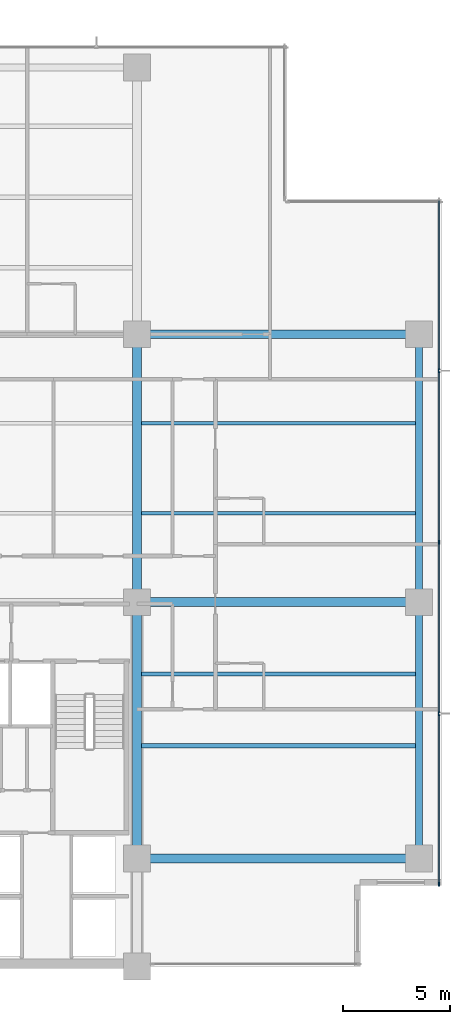
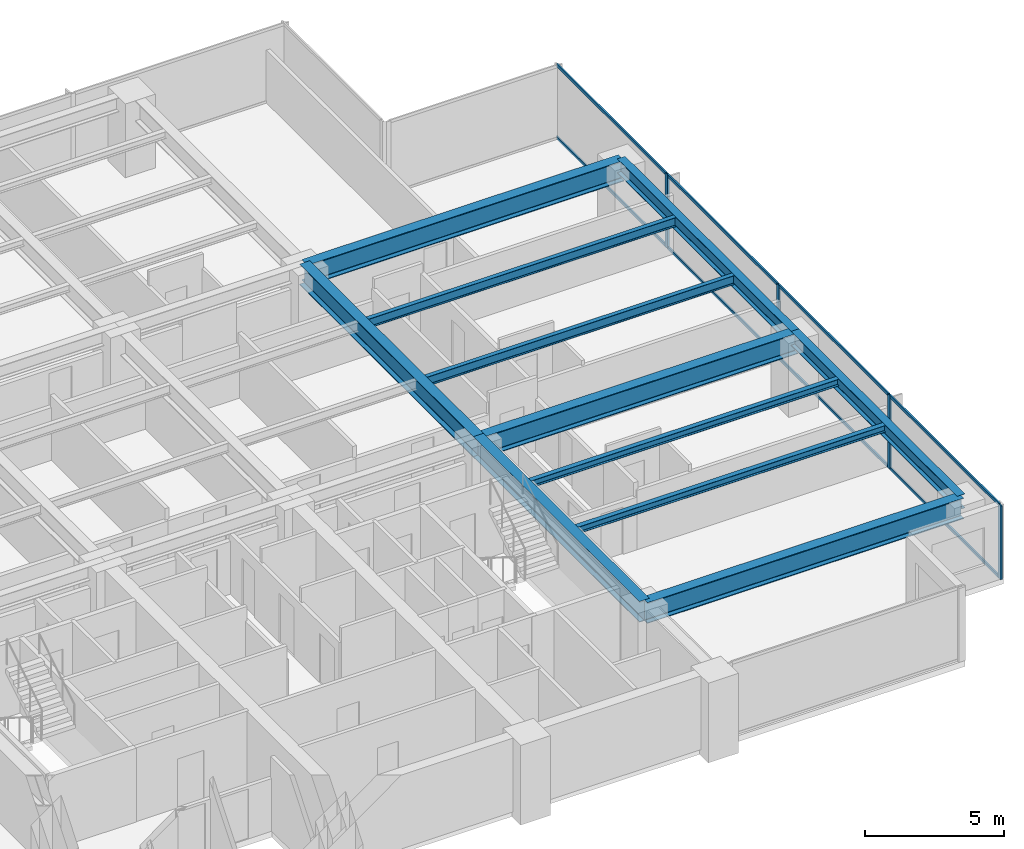
# One storey, part 4 of 17: 12 members, 11 beams, 1 element without a shape of its own.
"""IFC4 building model written with IfcOpenShell, lengths in metres."""

import ifcopenshell
import ifcopenshell.guid

model = None  # the IFC model being written
_history = None  # IfcOwnerHistory: only IFC2X3 demands one
_inside = {}  # id of a spatial element -> (the spatial element, [elements in it])
_under = {}  # id of a project, library or spatial element -> (it, [spatial elements below it])
_declared = {}  # id of a project -> (the project, [libraries it declares])
_typed = {}  # id of a type object -> (the type object, [elements of that type])
_made_of = {}  # id of a material, layer set ... -> (it, [elements and type objects made of it])


def new_model(schema):
    """Start an empty IFC model of exactly this schema.

    Asked for "IFC4X3", IfcOpenShell would pick the latest addendum, in which some entities
    have other attributes; the version numbers below select the first issue.
    IFC2X3 requires an IfcOwnerHistory on every rooted entity: one is made here for all.
    """
    global model, _history
    if schema == "IFC4X3":
        model = ifcopenshell.file(schema_version=(4, 3, 0, 0))
    else:
        model = ifcopenshell.file(schema=schema)
    _inside.clear()
    _under.clear()
    _declared.clear()
    _typed.clear()
    _made_of.clear()
    _history = None
    if model.schema == "IFC2X3":
        org = make("IfcOrganization", Name="unknown")
        user = make(
            "IfcPersonAndOrganization",
            ThePerson=make("IfcPerson", FamilyName="unknown"),
            TheOrganization=org,
        )
        app = make(
            "IfcApplication",
            ApplicationDeveloper=org,
            Version="unknown",
            ApplicationFullName="unknown",
            ApplicationIdentifier="unknown",
        )
        _history = make(
            "IfcOwnerHistory",
            OwningUser=user,
            OwningApplication=app,
            ChangeAction="ADDED",
            CreationDate=0,
        )
    return model


def make(cls, **values):
    """One entity of the class cls with the attributes given. An attribute that is None is left unset."""
    return model.create_entity(
        cls, **{name: value for name, value in values.items() if value is not None}
    )


def rooted(cls, **values):
    """An entity with a GlobalId (a new one), such as an element, a storey or a relation."""
    return make(cls, GlobalId=ifcopenshell.guid.new(), OwnerHistory=_history, **values)


def si_unit(unit_type, name, prefix=None):
    """IfcSIUnit, for example si_unit("LENGTHUNIT", "METRE", prefix="MILLI")."""
    return make("IfcSIUnit", UnitType=unit_type, Prefix=prefix, Name=name)


def assignment(units):
    """IfcUnitAssignment: the units of a project."""
    return None if units is None else make("IfcUnitAssignment", Units=units)


def point(xyz):
    """IfcCartesianPoint."""
    return None if xyz is None else make("IfcCartesianPoint", Coordinates=xyz)


def direction(xyz):
    """IfcDirection."""
    return None if xyz is None else make("IfcDirection", DirectionRatios=xyz)


def frame(location, z_axis=None, x_axis=None):
    """IfcAxis2Placement3D, a coordinate frame: its origin and axes. An axis left out is left unset."""
    return make(
        "IfcAxis2Placement3D",
        Location=point(location),
        Axis=direction(z_axis),
        RefDirection=direction(x_axis),
    )


def frame_2d(location, x_axis=None):
    """IfcAxis2Placement2D, a coordinate frame in the plane: its origin and x axis."""
    return make(
        "IfcAxis2Placement2D", Location=point(location), RefDirection=direction(x_axis)
    )


def origin():
    """The frame at (0, 0, 0) with its axes left unset."""
    return frame((0.0, 0.0, 0.0))


def origin_2d():
    """The frame at (0, 0) in the plane with its x axis left unset."""
    return frame_2d((0.0, 0.0))


def place(relative_to, where):
    """IfcLocalPlacement: puts the frame where relative to a parent placement (None: the world)."""
    return make(
        "IfcLocalPlacement", PlacementRelTo=relative_to, RelativePlacement=where
    )


def context(
    kind, dimensions, precision=None, world=None, true_north=None, identifier=None
):
    """IfcGeometricRepresentationContext, for example the 3D "Model" context."""
    return make(
        "IfcGeometricRepresentationContext",
        ContextIdentifier=identifier,
        ContextType=kind,
        CoordinateSpaceDimension=dimensions,
        Precision=precision,
        WorldCoordinateSystem=world,
        TrueNorth=true_north,
    )


def subcontext(parent, identifier, kind, view, scale=None):
    """IfcGeometricRepresentationSubContext, for example "Body" below "Model"."""
    return make(
        "IfcGeometricRepresentationSubContext",
        ContextIdentifier=identifier,
        ContextType=kind,
        ParentContext=parent,
        TargetScale=scale,
        TargetView=view,
    )


def project(units=None, contexts=None):
    """IfcProject with its units and contexts."""
    return rooted(
        "IfcProject",
        Name="project",
        RepresentationContexts=contexts,
        UnitsInContext=assignment(units),
    )


def spatial(cls, under=None, at=None, **own):
    """A site, building, storey or space (cls), placed at a placement, below another one or the project."""
    s = rooted(cls, ObjectPlacement=at, **own)
    if under is not None:
        _under.setdefault(under.id(), (under, []))[1].append(s)
    return s


def profile(cls, at=None, kind="AREA", **sizes):
    """A parametric profile (cls). Its sizes go by their IFC names, for example OverallWidth=200.0."""
    return make(cls, ProfileType=kind, Position=at, **sizes)


def rectangle(**sizes):
    """IfcRectangleProfileDef."""
    return profile("IfcRectangleProfileDef", **sizes)


def i_section(**sizes):
    """IfcIShapeProfileDef."""
    return profile("IfcIShapeProfileDef", **sizes)


def extrude(swept, where, along, depth):
    """IfcExtrudedAreaSolid: the profile swept, set in the frame where, extruded along a direction by depth."""
    return make(
        "IfcExtrudedAreaSolid",
        SweptArea=swept,
        Position=where,
        ExtrudedDirection=direction(along),
        Depth=depth,
    )


def shape(context_of_items, identifier, shape_type, items):
    """IfcShapeRepresentation: the items that make up one representation, for example the "Body"."""
    return make(
        "IfcShapeRepresentation",
        ContextOfItems=context_of_items,
        RepresentationIdentifier=identifier,
        RepresentationType=shape_type,
        Items=items,
    )


def material(Name=None, Category=None):
    """IfcMaterial."""
    return make("IfcMaterial", Name=Name, Category=Category)


def layer(
    of_material, thickness, ventilated=None, Name=None, Category=None, Priority=None
):
    """IfcMaterialLayer: one layer of a wall or slab, of a material (None: an air gap)."""
    return make(
        "IfcMaterialLayer",
        Material=of_material,
        LayerThickness=thickness,
        IsVentilated=ventilated,
        Name=Name,
        Category=Category,
        Priority=Priority,
    )


def layer_set(layers, Name=None):
    """IfcMaterialLayerSet."""
    return make("IfcMaterialLayerSet", MaterialLayers=layers, LayerSetName=Name)


def material_profile(
    of_material, cross_section, Name=None, Category=None, Priority=None
):
    """IfcMaterialProfile: a cross section and its material."""
    return make(
        "IfcMaterialProfile",
        Name=Name,
        Material=of_material,
        Profile=cross_section,
        Priority=Priority,
        Category=Category,
    )


def profile_set(profiles, Name=None, composite=None):
    """IfcMaterialProfileSet."""
    return make(
        "IfcMaterialProfileSet",
        Name=Name,
        MaterialProfiles=profiles,
        CompositeProfile=composite,
    )


def made_of(thing, what):
    """Note that an element or type object is made of a material, layer set ...; save() writes the relation."""
    if what is not None:
        _made_of.setdefault(what.id(), (what, []))[1].append(thing)
    return thing


def type_object(cls, material=None, **own):
    """A type object (cls), such as IfcWallType, which elements share."""
    return made_of(rooted(cls, **own), material)


def element(
    cls,
    number,
    at=None,
    inside=None,
    cuts=None,
    type_object=None,
    material=None,
    context=None,
    identifier="Body",
    shape_type=None,
    held_by="IfcProductDefinitionShape",
    body=None,
    shapes=None,
    **own,
):
    """One element of the class cls, such as IfcWall. Its Tag is "e" and its number.

    at: its placement. inside: the storey or other place that contains it. cuts: it is an
    opening in that element (IfcRelVoidsElement). A single representation is given by context,
    identifier, shape_type and body (its items); several are given by shapes. held_by: the class
    of the entity that holds the representations. save() writes the other relations.
    """
    e = rooted(cls, Tag="e%d" % number, ObjectPlacement=at, **own)
    if body is not None:
        shapes = [shape(context, identifier, shape_type, body)]
    if shapes is not None:
        e.Representation = make(held_by, Representations=shapes)
    if inside is not None:
        _inside.setdefault(inside.id(), (inside, []))[1].append(e)
    if cuts is not None:
        rooted(
            "IfcRelVoidsElement", RelatingBuildingElement=cuts, RelatedOpeningElement=e
        )
    if type_object is not None:
        _typed.setdefault(type_object.id(), (type_object, []))[1].append(e)
    return made_of(e, material)


def aggregate(whole, parts):
    """IfcRelAggregates: a whole, such as a stair, and the parts it consists of."""
    return rooted("IfcRelAggregates", RelatingObject=whole, RelatedObjects=parts)


def save(model, path):
    """Write the relations noted so far, then the file.

    IfcRelAggregates (storeys below a building ...), IfcRelContainedInSpatialStructure (elements
    in a storey), IfcRelDefinesByType, IfcRelAssociatesMaterial and IfcRelDeclares: one each for
    every whole, place, type object, material and project.
    """
    for whole, parts in _under.values():
        aggregate(whole, parts)
    for where, things in _inside.values():
        rooted(
            "IfcRelContainedInSpatialStructure",
            RelatedElements=things,
            RelatingStructure=where,
        )
    for kind, things in _typed.values():
        rooted("IfcRelDefinesByType", RelatedObjects=things, RelatingType=kind)
    for what, things in _made_of.values():
        rooted("IfcRelAssociatesMaterial", RelatedObjects=things, RelatingMaterial=what)
    for by, libraries in _declared.values():
        rooted("IfcRelDeclares", RelatingContext=by, RelatedDefinitions=libraries)
    model.write(path)


model = new_model("IFC4")

# Units and contexts
model_context = context("Model", 3, precision=1e-05, world=origin(), true_north=direction((0.0, 1.0)))
body_context = subcontext(model_context, "Body", "Model", "MODEL_VIEW")
ifc_project = project(units=[si_unit("LENGTHUNIT", "METRE"), si_unit("AREAUNIT", "SQUARE_METRE"), si_unit("VOLUMEUNIT", "CUBIC_METRE"), si_unit("PLANEANGLEUNIT", "RADIAN"), si_unit("MASSUNIT", "GRAM", prefix="KILO")], contexts=[model_context])

# Site, building, storey
site_placement = place(None, origin())
site = spatial("IfcSite", under=ifc_project, at=site_placement, CompositionType="ELEMENT")
building_placement = place(site_placement, origin())
building = spatial("IfcBuilding", under=site, at=building_placement, Name="Qalmaran Belvedere Hotel", CompositionType="ELEMENT")
storey_placement = place(building_placement, frame((0.0, 0.0, 119.699951171875)))
storey = spatial("IfcBuildingStorey", under=building, at=storey_placement, Name="L30", CompositionType="ELEMENT", Elevation=119.699951171875)

# Beams
ifc_material_1 = material(Name="Steel S355JR", Category="steel")
ifc_material_profile_1 = material_profile(ifc_material_1, i_section(OverallWidth=0.202880859375, OverallDepth=0.302978515625, WebThickness=0.007568359375, FlangeThickness=0.01318359375, FilletRadius=0.012939453125, at=origin_2d()), Name="W310X60")
ifc_profile_set_1 = profile_set([ifc_material_profile_1], Name="Steel S355JR")
beam_type_1 = type_object("IfcBeamType", Name="BM-JST-W310X60", PredefinedType="JOIST", material=ifc_profile_set_1)
for number, where, z_axis, x_axis, name in (
    (1, (45.007080078125, 13.800048828125, 3.088623046875), (1.0, 0.0, 0.0), (0.0, 1.0, 0.0), "L30 East Wing Joist 039"),
    (2, (45.007080078125, 17.14990234375, 3.088623046875), (1.0, 0.0, 0.0), (0.0, 1.0, 0.0), "L30 East Wing Joist 041"),
):
    element("IfcBeam", number, at=place(storey_placement, frame(where, z_axis=z_axis, x_axis=x_axis)), inside=storey, type_object=beam_type_1, Name=name, PredefinedType="JOIST", context=body_context, shape_type="SweptSolid", body=[
        extrude(i_section(OverallWidth=0.202880859375, OverallDepth=0.302978515625, WebThickness=0.007568359375, FlangeThickness=0.01318359375, FilletRadius=0.012939453125, at=origin_2d()), origin(), (0.0, 0.0, 1.0), 12.781494140625),
    ])
ifc_material_profile_2 = material_profile(ifc_material_1, i_section(OverallWidth=0.41796875, OverallDepth=0.912109375, WebThickness=0.019287109375, FlangeThickness=0.031982421875, FilletRadius=0.02392578125, at=origin_2d()), Name="W920X342")
ifc_profile_set_2 = profile_set([ifc_material_profile_2], Name="Steel S355JR")
beam_type_2 = type_object("IfcBeamType", Name="BM-PG2-W920X342", PredefinedType="USERDEFINED", material=ifc_profile_set_2)
beam_1_placement = place(storey_placement, frame((44.800048828125, 20.5, 2.783935546875), z_axis=(0.0, 1.0, 0.0), x_axis=(-1.0, 0.0, 0.0)))
element("IfcBeam", 3, at=beam_1_placement, inside=storey, type_object=beam_type_2, Name="L30 Mid-Plate N-S Girder 20", ObjectType="GIRDER", PredefinedType="USERDEFINED", context=body_context, shape_type="SweptSolid", body=[
    extrude(i_section(OverallWidth=0.41796875, OverallDepth=0.912109375, WebThickness=0.019287109375, FlangeThickness=0.031982421875, FilletRadius=0.02392578125, at=origin_2d()), origin(), (0.0, 0.0, 1.0), 12.5),
])
beam_2_placement = place(storey_placement, frame((44.800048828125, 8.550048828125, 2.783935546875), z_axis=(0.0, 1.0, 0.0), x_axis=(-1.0, 0.0, 0.0)))
element("IfcBeam", 4, at=beam_2_placement, inside=storey, type_object=beam_type_2, Name="L30 East Core Edge Girder B", ObjectType="GIRDER", PredefinedType="USERDEFINED", context=body_context, shape_type="SweptSolid", body=[
    extrude(i_section(OverallWidth=0.41796875, OverallDepth=0.912109375, WebThickness=0.019287109375, FlangeThickness=0.031982421875, FilletRadius=0.02392578125, at=origin_2d()), origin(), (0.0, 0.0, 1.0), 11.949951171875),
])
for number, where, z_axis, x_axis, name in (
    (5, (44.800048828125, 8.550048828125, 2.783935546875), (1.0, 0.0, 0.0), (0.0, 1.0, 0.0), "L30 East Wing Girder 25"),
    (6, (44.800048828125, 20.5, 2.783935546875), (1.0, 0.0, 0.0), (0.0, 1.0, 0.0), "L30 East Wing Girder 26"),
    (7, (44.800048828125, 33.0, 2.783935546875), (1.0, 0.0, 0.0), (0.0, 1.0, 0.0), "L30 East Wing Girder 27"),
):
    element("IfcBeam", number, at=place(storey_placement, frame(where, z_axis=z_axis, x_axis=x_axis)), inside=storey, type_object=beam_type_2, Name=name, ObjectType="GIRDER", PredefinedType="USERDEFINED", context=body_context, shape_type="SweptSolid", body=[
        extrude(i_section(OverallWidth=0.41796875, OverallDepth=0.912109375, WebThickness=0.019287109375, FlangeThickness=0.031982421875, FilletRadius=0.02392578125, at=origin_2d()), origin(), (0.0, 0.0, 1.0), 13.14990234375),
    ])
ifc_material_profile_3 = material_profile(ifc_material_1, i_section(OverallWidth=0.177978515625, OverallDepth=0.406982421875, WebThickness=0.0078125, FlangeThickness=0.0126953125, FilletRadius=0.014892578125, at=origin_2d()), Name="W410X60")
ifc_profile_set_3 = profile_set([ifc_material_profile_3], Name="Steel S355JR")
beam_type_3 = type_object("IfcBeamType", Name="BM-SB2-W410X60", PredefinedType="BEAM", material=ifc_profile_set_3)
for number, where, z_axis, x_axis, name in (
    (8, (45.007080078125, 24.64990234375, 3.03662109375), (1.0, 0.0, 0.0), (0.0, 1.0, 0.0), "L30 East Secondary Beam 032"),
    (9, (45.007080078125, 28.85009765625, 3.03662109375), (1.0, 0.0, 0.0), (0.0, 1.0, 0.0), "L30 East Secondary Beam 037"),
):
    element("IfcBeam", number, at=place(storey_placement, frame(where, z_axis=z_axis, x_axis=x_axis)), inside=storey, type_object=beam_type_3, Name=name, PredefinedType="BEAM", context=body_context, shape_type="SweptSolid", body=[
        extrude(i_section(OverallWidth=0.177978515625, OverallDepth=0.406982421875, WebThickness=0.0078125, FlangeThickness=0.0126953125, FilletRadius=0.014892578125, at=origin_2d()), origin(), (0.0, 0.0, 1.0), 12.781494140625),
    ])
ifc_material_profile_4 = material_profile(ifc_material_1, i_section(OverallWidth=0.326904296875, OverallDepth=0.6220703125, WebThickness=0.015380859375, FlangeThickness=0.0244140625, FilletRadius=0.02001953125, at=origin_2d()), Name="W610X195")
ifc_profile_set_4 = profile_set([ifc_material_profile_4], Name="Steel S355JR")
beam_type_4 = type_object("IfcBeamType", Name="BM-SP1-W610X195", PredefinedType="SPANDREL", material=ifc_profile_set_4)
beam_3_placement = place(storey_placement, frame((57.949951171875, 8.550048828125, 2.928955078125), z_axis=(0.0, 1.0, 0.0), x_axis=(-1.0, 0.0, 0.0)))
element("IfcBeam", 10, at=beam_3_placement, inside=storey, type_object=beam_type_4, Name="L30 Perimeter Spandrel 03", PredefinedType="SPANDREL", context=body_context, shape_type="SweptSolid", body=[
    extrude(i_section(OverallWidth=0.326904296875, OverallDepth=0.6220703125, WebThickness=0.015380859375, FlangeThickness=0.0244140625, FilletRadius=0.02001953125, at=origin_2d()), origin(), (0.0, 0.0, 1.0), 11.949951171875),
])
beam_4_placement = place(storey_placement, frame((57.949951171875, 20.5, 2.928955078125), z_axis=(0.0, 1.0, 0.0), x_axis=(-1.0, 0.0, 0.0)))
element("IfcBeam", 11, at=beam_4_placement, inside=storey, type_object=beam_type_4, Name="L30 Perimeter Spandrel 04", PredefinedType="SPANDREL", context=body_context, shape_type="SweptSolid", body=[
    extrude(i_section(OverallWidth=0.326904296875, OverallDepth=0.6220703125, WebThickness=0.015380859375, FlangeThickness=0.0244140625, FilletRadius=0.02001953125, at=origin_2d()), origin(), (0.0, 0.0, 1.0), 12.5),
])

# Curtain wall, members
ifc_material_2 = material(Name="Anodised Bronze Aluminium", Category="aluminium")
ifc_layer = layer(ifc_material_2, 0.199951171875, Name="Anodised Bronze Aluminium")
ifc_layer_set = layer_set([ifc_layer], Name="Anodised Bronze Aluminium")
curtain_wall_type = type_object("IfcCurtainWallType", Name="CW3-TOWER-LOWMID", PredefinedType="NOTDEFINED", material=ifc_layer_set)
curtain_wall_placement = place(storey_placement, origin())
curtain_wall = element("IfcCurtainWall", 12, at=curtain_wall_placement, inside=storey, type_object=curtain_wall_type, Name="L30 Curtain Wall CW3", PredefinedType="NOTDEFINED")
ifc_material_profile_5 = material_profile(ifc_material_2, rectangle(XDim=0.070068359375, YDim=0.18994140625, at=origin_2d()), Name="CWM70X190")
ifc_profile_set_5 = profile_set([ifc_material_profile_5], Name="Anodised Bronze Aluminium")
member_type_1 = type_object("IfcMemberType", Name="CWM-70X190", PredefinedType="MULLION", material=ifc_profile_set_5)
member_1_placement = place(storey_placement, frame((58.8798828125, 7.3349609375, 0.0), z_axis=(0.0, 0.0, 1.0), x_axis=(-1.0, 0.0, 0.0)))
member_1 = element("IfcMember", 13, at=member_1_placement, type_object=member_type_1, Name="CW3 mullion 1", PredefinedType="MULLION", context=body_context, shape_type="SweptSolid", body=[
    extrude(rectangle(XDim=0.070068359375, YDim=0.18994140625, at=origin_2d()), origin(), (0.0, 0.0, 1.0), 3.239990234375),
])
member_2_placement = place(storey_placement, frame((58.8798828125, 15.300048828125, 0.0), z_axis=(0.0, 0.0, 1.0), x_axis=(-1.0, 0.0, 0.0)))
member_2 = element("IfcMember", 14, at=member_2_placement, type_object=member_type_1, Name="CW3 mullion 2", PredefinedType="MULLION", context=body_context, shape_type="SweptSolid", body=[
    extrude(rectangle(XDim=0.070068359375, YDim=0.18994140625, at=origin_2d()), origin(), (0.0, 0.0, 1.0), 3.239990234375),
])
member_3_placement = place(storey_placement, frame((58.8798828125, 23.300048828125, 0.0), z_axis=(0.0, 0.0, 1.0), x_axis=(-1.0, 0.0, 0.0)))
member_3 = element("IfcMember", 15, at=member_3_placement, type_object=member_type_1, Name="CW3 mullion 3", PredefinedType="MULLION", context=body_context, shape_type="SweptSolid", body=[
    extrude(rectangle(XDim=0.070068359375, YDim=0.18994140625, at=origin_2d()), origin(), (0.0, 0.0, 1.0), 3.239990234375),
])
member_4_placement = place(storey_placement, frame((58.8798828125, 31.300048828125, 0.0), z_axis=(0.0, 0.0, 1.0), x_axis=(-1.0, 0.0, 0.0)))
member_4 = element("IfcMember", 16, at=member_4_placement, type_object=member_type_1, Name="CW3 mullion 4", PredefinedType="MULLION", context=body_context, shape_type="SweptSolid", body=[
    extrude(rectangle(XDim=0.070068359375, YDim=0.18994140625, at=origin_2d()), origin(), (0.0, 0.0, 1.0), 3.239990234375),
])
ifc_material_profile_6 = material_profile(ifc_material_2, rectangle(XDim=0.06494140625, YDim=0.1298828125, at=origin_2d()), Name="CWT65X130")
ifc_profile_set_6 = profile_set([ifc_material_profile_6], Name="Anodised Bronze Aluminium")
member_type_2 = type_object("IfcMemberType", Name="CWT-65X130", PredefinedType="USERDEFINED", material=ifc_profile_set_6)
member_5_placement = place(storey_placement, frame((58.8798828125, 7.3701171875, 0.032470703125), z_axis=(0.0, 1.0, 0.0), x_axis=(-1.0, 0.0, 0.0)))
member_5 = element("IfcMember", 17, at=member_5_placement, type_object=member_type_2, Name="CW3 transom 1.1", ObjectType="TRANSOM", PredefinedType="USERDEFINED", context=body_context, shape_type="SweptSolid", body=[
    extrude(rectangle(XDim=0.06494140625, YDim=0.1298828125, at=origin_2d()), origin(), (0.0, 0.0, 1.0), 7.894775390625),
])
member_6_placement = place(storey_placement, frame((58.8798828125, 7.3701171875, 3.20751953125), z_axis=(0.0, 1.0, 0.0), x_axis=(-1.0, 0.0, 0.0)))
member_6 = element("IfcMember", 18, at=member_6_placement, type_object=member_type_2, Name="CW3 transom 1.2", ObjectType="TRANSOM", PredefinedType="USERDEFINED", context=body_context, shape_type="SweptSolid", body=[
    extrude(rectangle(XDim=0.06494140625, YDim=0.1298828125, at=origin_2d()), origin(), (0.0, 0.0, 1.0), 7.894775390625),
])
member_7_placement = place(storey_placement, frame((58.8798828125, 15.3349609375, 0.032470703125), z_axis=(0.0, 1.0, 0.0), x_axis=(-1.0, 0.0, 0.0)))
member_7 = element("IfcMember", 19, at=member_7_placement, type_object=member_type_2, Name="CW3 transom 2.1", ObjectType="TRANSOM", PredefinedType="USERDEFINED", context=body_context, shape_type="SweptSolid", body=[
    extrude(rectangle(XDim=0.06494140625, YDim=0.1298828125, at=origin_2d()), origin(), (0.0, 0.0, 1.0), 7.929931640625),
])
member_8_placement = place(storey_placement, frame((58.8798828125, 15.3349609375, 3.20751953125), z_axis=(0.0, 1.0, 0.0), x_axis=(-1.0, 0.0, 0.0)))
member_8 = element("IfcMember", 20, at=member_8_placement, type_object=member_type_2, Name="CW3 transom 2.2", ObjectType="TRANSOM", PredefinedType="USERDEFINED", context=body_context, shape_type="SweptSolid", body=[
    extrude(rectangle(XDim=0.06494140625, YDim=0.1298828125, at=origin_2d()), origin(), (0.0, 0.0, 1.0), 7.929931640625),
])
member_9_placement = place(storey_placement, frame((58.8798828125, 23.3349609375, 0.032470703125), z_axis=(0.0, 1.0, 0.0), x_axis=(-1.0, 0.0, 0.0)))
member_9 = element("IfcMember", 21, at=member_9_placement, type_object=member_type_2, Name="CW3 transom 3.1", ObjectType="TRANSOM", PredefinedType="USERDEFINED", context=body_context, shape_type="SweptSolid", body=[
    extrude(rectangle(XDim=0.06494140625, YDim=0.1298828125, at=origin_2d()), origin(), (0.0, 0.0, 1.0), 7.929931640625),
])
member_10_placement = place(storey_placement, frame((58.8798828125, 23.3349609375, 3.20751953125), z_axis=(0.0, 1.0, 0.0), x_axis=(-1.0, 0.0, 0.0)))
member_10 = element("IfcMember", 22, at=member_10_placement, type_object=member_type_2, Name="CW3 transom 3.2", ObjectType="TRANSOM", PredefinedType="USERDEFINED", context=body_context, shape_type="SweptSolid", body=[
    extrude(rectangle(XDim=0.06494140625, YDim=0.1298828125, at=origin_2d()), origin(), (0.0, 0.0, 1.0), 7.929931640625),
])
member_11_placement = place(storey_placement, frame((58.8798828125, 31.3349609375, 0.032470703125), z_axis=(0.0, 1.0, 0.0), x_axis=(-1.0, 0.0, 0.0)))
member_11 = element("IfcMember", 23, at=member_11_placement, type_object=member_type_2, Name="CW3 transom 4.1", ObjectType="TRANSOM", PredefinedType="USERDEFINED", context=body_context, shape_type="SweptSolid", body=[
    extrude(rectangle(XDim=0.06494140625, YDim=0.1298828125, at=origin_2d()), origin(), (0.0, 0.0, 1.0), 7.89501953125),
])
member_12_placement = place(storey_placement, frame((58.8798828125, 31.3349609375, 3.20751953125), z_axis=(0.0, 1.0, 0.0), x_axis=(-1.0, 0.0, 0.0)))
member_12 = element("IfcMember", 24, at=member_12_placement, type_object=member_type_2, Name="CW3 transom 4.2", ObjectType="TRANSOM", PredefinedType="USERDEFINED", context=body_context, shape_type="SweptSolid", body=[
    extrude(rectangle(XDim=0.06494140625, YDim=0.1298828125, at=origin_2d()), origin(), (0.0, 0.0, 1.0), 7.89501953125),
])
aggregate(curtain_wall, [member_1, member_2, member_3, member_4, member_5, member_6, member_7, member_8, member_9, member_10, member_11, member_12])

save(model, "model.ifc")
